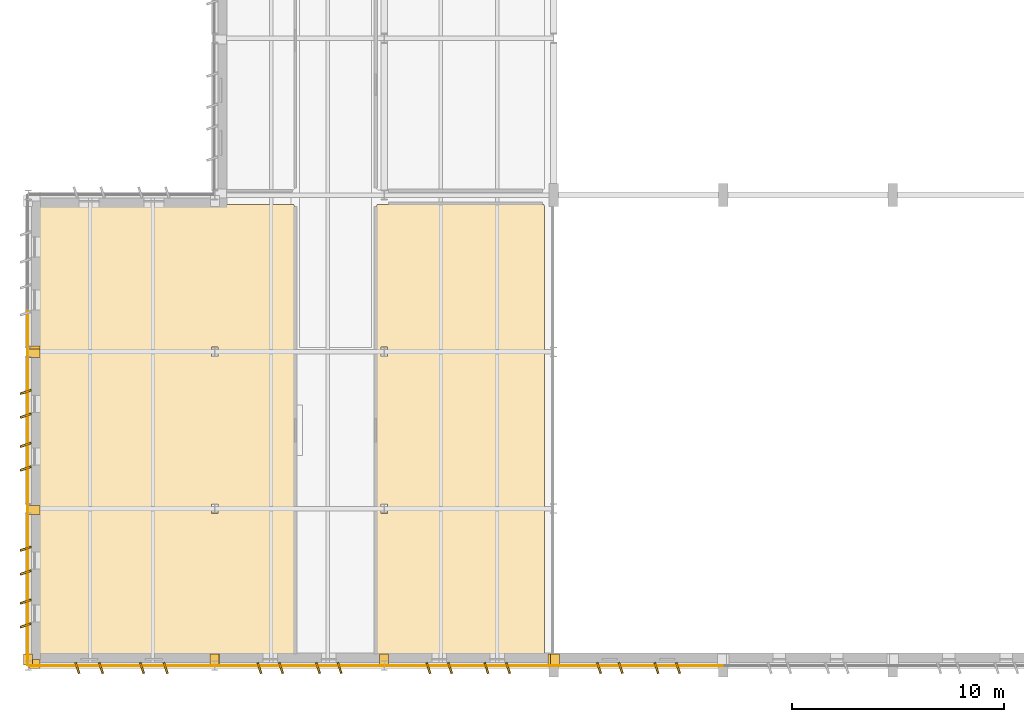
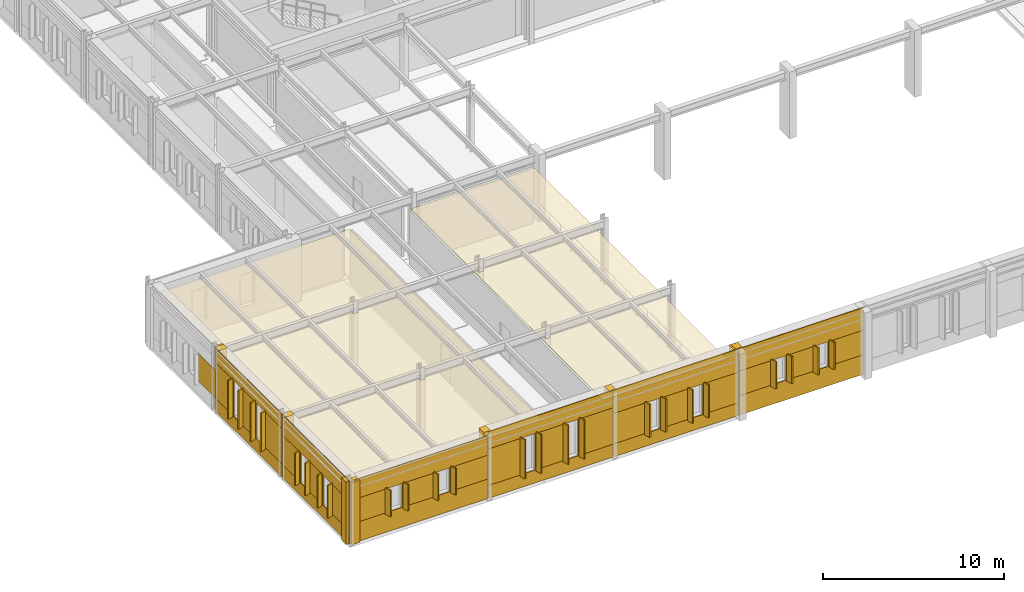
# One storey, part 54 of 75: 67 coverings.
"""IFC4 building model written with IfcOpenShell, lengths in metres."""

from ifc_helpers import new_model, si_unit, direction, frame, frame_2d, origin, origin_2d, place, context, subcontext, project, spatial, polyline, rectangle, outline, extrude, material, layer, layer_set, type_object, element, save


model = new_model("IFC4")

# Units and contexts
model_context = context("Model", 3, precision=1e-05, world=origin(), true_north=direction((0.0, 1.0)))
body_context = subcontext(model_context, "Body", "Model", "MODEL_VIEW")
ifc_project = project(units=[si_unit("LENGTHUNIT", "METRE"), si_unit("AREAUNIT", "SQUARE_METRE"), si_unit("VOLUMEUNIT", "CUBIC_METRE"), si_unit("PLANEANGLEUNIT", "RADIAN"), si_unit("MASSUNIT", "GRAM", prefix="KILO")], contexts=[model_context])

# Site, building, storey
site_placement = place(None, origin())
site = spatial("IfcSite", under=ifc_project, at=site_placement, CompositionType="ELEMENT")
building_placement = place(site_placement, origin())
building = spatial("IfcBuilding", under=site, at=building_placement, Name="Valkorina Park Police Headquarters", CompositionType="ELEMENT")
storey_placement = place(building_placement, frame((0.0, 0.0, 5.39990234375)))
storey = spatial("IfcBuildingStorey", under=building, at=storey_placement, Name="L02", CompositionType="ELEMENT", Elevation=5.39990234375)

# Coverings
ifc_material_1 = material(Name="Acoustic mineral board")
ifc_layer_1 = layer(ifc_material_1, 0.02490234375)
ifc_layer_set_1 = layer_set([ifc_layer_1], Name="Acoustic mineral board")
covering_type_1 = type_object("IfcCoveringType", Name="COV-CEILING-ACOUST", PredefinedType="CEILING", material=ifc_layer_set_1)
covering_1_placement = place(storey_placement, frame((0.0, 0.0, 3.64501953125)))
element("IfcCovering", 1, at=covering_1_placement, inside=storey, type_object=covering_type_1, Name="Suspect Acoustic Interview Suite Acoustic Suspended Ceiling", PredefinedType="CEILING", context=body_context, shape_type="SweptSolid", body=[
    extrude(outline(polyline([(12.55859375, 0.50439453125), (12.5595703125, 0.51220703125), (12.56005859375, 0.52001953125), (12.56005859375, 21.679931640625), (12.5595703125, 21.687744140625), (12.55859375, 21.695556640625), (12.556640625, 21.703125), (12.553955078125, 21.710693359375), (12.550537109375, 21.7177734375), (12.54638671875, 21.724365234375), (12.541748046875, 21.730712890625), (12.53662109375, 21.736572265625), (12.53076171875, 21.74169921875), (12.5244140625, 21.74658203125), (12.517578125, 21.75048828125), (12.510498046875, 21.75390625), (12.503173828125, 21.756591796875), (12.49560546875, 21.758544921875), (12.48779296875, 21.759521484375), (12.47998046875, 21.760009765625), (0.52001953125, 21.760009765625), (0.51220703125, 21.759521484375), (0.50439453125, 21.758544921875), (0.496826171875, 21.756591796875), (0.489501953125, 21.75390625), (0.482421875, 21.75048828125), (0.4755859375, 21.74658203125), (0.46923828125, 21.74169921875), (0.46337890625, 21.736572265625), (0.458251953125, 21.730712890625), (0.45361328125, 21.724365234375), (0.449462890625, 21.7177734375), (0.446044921875, 21.710693359375), (0.443359375, 21.703125), (0.44140625, 21.695556640625), (0.4404296875, 21.687744140625), (0.43994140625, 21.679931640625), (0.43994140625, 0.52001953125), (0.4404296875, 0.51220703125), (0.44140625, 0.50439453125), (0.443359375, 0.496826171875), (0.446044921875, 0.489501953125), (0.449462890625, 0.482421875), (0.45361328125, 0.4755859375), (0.458251953125, 0.46923828125), (0.46337890625, 0.46337890625), (0.46923828125, 0.458251953125), (0.4755859375, 0.45361328125), (0.482421875, 0.449462890625), (0.489501953125, 0.446044921875), (0.496826171875, 0.443359375), (0.50439453125, 0.44140625), (0.51220703125, 0.4404296875), (0.52001953125, 0.43994140625), (12.47998046875, 0.43994140625), (12.48779296875, 0.4404296875), (12.49560546875, 0.44140625), (12.503173828125, 0.443359375), (12.510498046875, 0.446044921875), (12.517578125, 0.449462890625), (12.5244140625, 0.45361328125), (12.53076171875, 0.458251953125), (12.53662109375, 0.46337890625), (12.541748046875, 0.46923828125), (12.54638671875, 0.4755859375), (12.550537109375, 0.482421875), (12.553955078125, 0.489501953125), (12.556640625, 0.496826171875), (12.55859375, 0.50439453125)]), holes=[polyline([(8.949951171875, 7.175048828125), (8.64990234375, 7.175048828125), (8.64990234375, 7.625), (8.949951171875, 7.625), (8.949951171875, 7.175048828125)]), polyline([(8.949951171875, 14.574951171875), (8.64990234375, 14.574951171875), (8.64990234375, 15.02490234375), (8.949951171875, 15.02490234375), (8.949951171875, 14.574951171875)])]), origin(), (0.0, 0.0, 1.0), 0.025146484375),
])
covering_2_placement = place(storey_placement, frame((0.0, 0.0, 3.64501953125)))
element("IfcCovering", 2, at=covering_2_placement, inside=storey, type_object=covering_type_1, Name="Video Identification Line-Up Room Acoustic Suspended Ceiling", PredefinedType="CEILING", context=body_context, shape_type="SweptSolid", body=[
    extrude(outline(polyline([(24.3583984375, 0.50439453125), (24.359619140625, 0.51220703125), (24.360107421875, 0.52001953125), (24.360107421875, 21.679931640625), (24.359619140625, 21.687744140625), (24.3583984375, 21.695556640625), (24.356689453125, 21.703125), (24.35400390625, 21.710693359375), (24.3505859375, 21.7177734375), (24.346435546875, 21.724365234375), (24.341796875, 21.730712890625), (24.336669921875, 21.736572265625), (24.330810546875, 21.74169921875), (24.324462890625, 21.74658203125), (24.317626953125, 21.75048828125), (24.310546875, 21.75390625), (24.30322265625, 21.756591796875), (24.295654296875, 21.758544921875), (24.287841796875, 21.759521484375), (24.280029296875, 21.760009765625), (16.52001953125, 21.760009765625), (16.51220703125, 21.759521484375), (16.50439453125, 21.758544921875), (16.496826171875, 21.756591796875), (16.489501953125, 21.75390625), (16.482421875, 21.75048828125), (16.4755859375, 21.74658203125), (16.46923828125, 21.74169921875), (16.46337890625, 21.736572265625), (16.458251953125, 21.730712890625), (16.45361328125, 21.724365234375), (16.449462890625, 21.7177734375), (16.446044921875, 21.710693359375), (16.443359375, 21.703125), (16.44140625, 21.695556640625), (16.4404296875, 21.687744140625), (16.43994140625, 21.679931640625), (16.43994140625, 0.52001953125), (16.4404296875, 0.51220703125), (16.44140625, 0.50439453125), (16.443359375, 0.496826171875), (16.446044921875, 0.489501953125), (16.449462890625, 0.482421875), (16.45361328125, 0.4755859375), (16.458251953125, 0.46923828125), (16.46337890625, 0.46337890625), (16.46923828125, 0.458251953125), (16.4755859375, 0.45361328125), (16.482421875, 0.449462890625), (16.489501953125, 0.446044921875), (16.496826171875, 0.443359375), (16.50439453125, 0.44140625), (16.51220703125, 0.4404296875), (16.52001953125, 0.43994140625), (24.280029296875, 0.43994140625), (24.287841796875, 0.4404296875), (24.295654296875, 0.44140625), (24.30322265625, 0.443359375), (24.310546875, 0.446044921875), (24.317626953125, 0.449462890625), (24.324462890625, 0.45361328125), (24.330810546875, 0.458251953125), (24.336669921875, 0.46337890625), (24.341796875, 0.46923828125), (24.346435546875, 0.4755859375), (24.3505859375, 0.482421875), (24.35400390625, 0.489501953125), (24.356689453125, 0.496826171875), (24.3583984375, 0.50439453125)]), holes=[polyline([(16.949951171875, 7.175048828125), (16.64990234375, 7.175048828125), (16.64990234375, 7.625), (16.949951171875, 7.625), (16.949951171875, 7.175048828125)]), polyline([(16.949951171875, 14.574951171875), (16.64990234375, 14.574951171875), (16.64990234375, 15.02490234375), (16.949951171875, 15.02490234375), (16.949951171875, 14.574951171875)])]), origin(), (0.0, 0.0, 1.0), 0.025146484375),
])
ifc_material_2 = material(Name="Precast concrete C40/50", Category="concrete")
ifc_layer_2 = layer(ifc_material_2, 0.044921875)
ifc_layer_set_2 = layer_set([ifc_layer_2], Name="Precast concrete C40/50")
covering_type_2 = type_object("IfcCoveringType", Name="COV-CLAD-DOLOMITE", PredefinedType="CLADDING", material=ifc_layer_set_2)
covering_3_placement = place(storey_placement, frame((24.864990234375, 0.2900390625, 0.0), z_axis=(0.0, 0.0, 1.0), x_axis=(1.0, 0.0, 0.0)))
element("IfcCovering", 3, at=covering_3_placement, inside=storey, type_object=covering_type_2, Name="L02 Exterior Joint Closure Pilaster B 0864", PredefinedType="CLADDING", context=body_context, shape_type="SweptSolid", body=[
    extrude(rectangle(XDim=0.419921875, YDim=0.52197265625, at=origin_2d()), origin(), (0.0, 0.0, 1.0), 4.5),
])
for number, where, z_axis, x_axis, name in (
    (4, (30.665283203125, -0.1201171875, 1.22998046875), (0.0, 0.0, 1.0), (0.317304656405, -0.948323655206, 0.0), "Slanted 18.5-deg Precast Window Slot Fin 0865"),
    (5, (29.6455078125, -0.1201171875, 1.22998046875), (0.0, 0.0, 1.0), (0.317304656405, -0.948323655206, 0.0), "Slanted 18.5-deg Precast Window Slot Fin 0866"),
    (6, (27.95458984375, -0.1201171875, 1.22998046875), (0.0, 0.0, 1.0), (0.317304656405, -0.948323655206, 0.0), "Slanted 18.5-deg Precast Window Slot Fin 0867"),
    (7, (26.9345703125, -0.1201171875, 1.22998046875), (0.0, 0.0, 1.0), (0.317304656405, -0.948323655206, 0.0), "Slanted 18.5-deg Precast Window Slot Fin 0868"),
):
    element("IfcCovering", number, at=place(storey_placement, frame(where, z_axis=z_axis, x_axis=x_axis)), inside=storey, type_object=covering_type_2, Name=name, PredefinedType="CLADDING", context=body_context, shape_type="SweptSolid", body=[
        extrude(rectangle(XDim=0.5400390625, YDim=0.090087890625, at=origin_2d()), origin(), (0.0, 0.0, 1.0), 1.840087890625),
    ])
covering_4_placement = place(storey_placement, frame((32.780029296875, -0.014892578125, 0.0), z_axis=(0.0, 0.0, 1.0), x_axis=(-1.0, 0.0, 0.0)))
element("IfcCovering", 8, at=covering_4_placement, inside=storey, type_object=covering_type_2, Name="L02 Calm Concrete Base Sill Spandrel 0869", PredefinedType="CLADDING", context=body_context, shape_type="SweptSolid", body=[
    extrude(rectangle(XDim=7.9599609375, YDim=0.044921875, at=frame_2d((3.97998046875, 0.0))), origin(), (0.0, 0.0, 1.0), 1.320068359375),
])
covering_5_placement = place(storey_placement, frame((32.780029296875, -0.014892578125, 2.97998046875), z_axis=(0.0, 0.0, 1.0), x_axis=(-1.0, 0.0, 0.0)))
element("IfcCovering", 9, at=covering_5_placement, inside=storey, type_object=covering_type_2, Name="L02 Calm Concrete Base Lintel Spandrel 0870", PredefinedType="CLADDING", context=body_context, shape_type="SweptSolid", body=[
    extrude(rectangle(XDim=7.9599609375, YDim=0.044921875, at=frame_2d((3.97998046875, 0.0))), origin(), (0.0, 0.0, 1.0), 1.52001953125),
])
covering_6_placement = place(storey_placement, frame((32.780029296875, -0.014892578125, 1.320068359375), z_axis=(0.0, 0.0, 1.0), x_axis=(-1.0, 0.0, 0.0)))
element("IfcCovering", 10, at=covering_6_placement, inside=storey, type_object=covering_type_2, Name="L02 Calm Concrete Base Slot Pier 0871", PredefinedType="CLADDING", context=body_context, shape_type="SweptSolid", body=[
    extrude(rectangle(XDim=2.224609375, YDim=0.044921875, at=frame_2d((1.1123046875, 0.0))), origin(), (0.0, 0.0, 1.0), 1.659912109375),
])
covering_7_placement = place(storey_placement, frame((29.75537109375, -0.014892578125, 1.320068359375), z_axis=(0.0, 0.0, 1.0), x_axis=(-1.0, 0.0, 0.0)))
element("IfcCovering", 11, at=covering_7_placement, inside=storey, type_object=covering_type_2, Name="L02 Calm Concrete Base Slot Pier 0872", PredefinedType="CLADDING", context=body_context, shape_type="SweptSolid", body=[
    extrude(rectangle(XDim=1.910888671875, YDim=0.044921875, at=frame_2d((0.95556640625, 0.0))), origin(), (0.0, 0.0, 1.0), 1.659912109375),
])
covering_8_placement = place(storey_placement, frame((27.044677734375, -0.014892578125, 1.320068359375), z_axis=(0.0, 0.0, 1.0), x_axis=(-1.0, 0.0, 0.0)))
element("IfcCovering", 12, at=covering_8_placement, inside=storey, type_object=covering_type_2, Name="L02 Calm Concrete Base Slot Pier 0873", PredefinedType="CLADDING", context=body_context, shape_type="SweptSolid", body=[
    extrude(rectangle(XDim=2.224609375, YDim=0.044921875, at=frame_2d((1.1123046875, 0.0))), origin(), (0.0, 0.0, 1.0), 1.659912109375),
])
for number, where, z_axis, x_axis, name in (
    (13, (24.735107421875, 0.2900390625, 0.0), (0.0, 0.0, 1.0), (1.0, 0.0, 0.0), "L02 Exterior Joint Closure Pilaster A 0874"),
    (14, (16.7900390625, 0.2900390625, 0.0), (0.0, 0.0, 1.0), (1.0, 0.0, 0.0), "L02 Exterior Joint Closure Pilaster B 0875"),
):
    element("IfcCovering", number, at=place(storey_placement, frame(where, z_axis=z_axis, x_axis=x_axis)), inside=storey, type_object=covering_type_2, Name=name, PredefinedType="CLADDING", context=body_context, shape_type="SweptSolid", body=[
        extrude(rectangle(XDim=0.419921875, YDim=0.52197265625, at=origin_2d()), origin(), (0.0, 0.0, 1.0), 4.5),
    ])
for number, where, z_axis, x_axis, name in (
    (15, (22.641357421875, -0.1201171875, 0.7802734375), (0.0, 0.0, 1.0), (0.317304656405, -0.948323655206, 0.0), "Slanted 18.5-deg Precast Window Slot Fin 0876"),
    (16, (21.621337890625, -0.1201171875, 0.7802734375), (0.0, 0.0, 1.0), (0.317304656405, -0.948323655206, 0.0), "Slanted 18.5-deg Precast Window Slot Fin 0877"),
    (17, (19.903564453125, -0.1201171875, 0.7802734375), (0.0, 0.0, 1.0), (0.317304656405, -0.948323655206, 0.0), "Slanted 18.5-deg Precast Window Slot Fin 0878"),
    (18, (18.883544921875, -0.1201171875, 0.7802734375), (0.0, 0.0, 1.0), (0.317304656405, -0.948323655206, 0.0), "Slanted 18.5-deg Precast Window Slot Fin 0879"),
):
    element("IfcCovering", number, at=place(storey_placement, frame(where, z_axis=z_axis, x_axis=x_axis)), inside=storey, type_object=covering_type_2, Name=name, PredefinedType="CLADDING", context=body_context, shape_type="SweptSolid", body=[
        extrude(rectangle(XDim=0.5400390625, YDim=0.090087890625, at=origin_2d()), origin(), (0.0, 0.0, 1.0), 2.239990234375),
    ])
covering_9_placement = place(storey_placement, frame((24.780029296875, -0.014892578125, 0.0), z_axis=(0.0, 0.0, 1.0), x_axis=(-1.0, 0.0, 0.0)))
element("IfcCovering", 19, at=covering_9_placement, inside=storey, type_object=covering_type_2, Name="L02 Calm Concrete Base Sill Spandrel 0880", PredefinedType="CLADDING", context=body_context, shape_type="SweptSolid", body=[
    extrude(rectangle(XDim=7.9599609375, YDim=0.044921875, at=frame_2d((3.97998046875, 0.0))), origin(), (0.0, 0.0, 1.0), 0.8701171875),
])
covering_10_placement = place(storey_placement, frame((24.780029296875, -0.014892578125, 2.93017578125), z_axis=(0.0, 0.0, 1.0), x_axis=(-1.0, 0.0, 0.0)))
element("IfcCovering", 20, at=covering_10_placement, inside=storey, type_object=covering_type_2, Name="L02 Calm Concrete Base Lintel Spandrel 0881", PredefinedType="CLADDING", context=body_context, shape_type="SweptSolid", body=[
    extrude(rectangle(XDim=7.9599609375, YDim=0.044921875, at=frame_2d((3.97998046875, 0.0))), origin(), (0.0, 0.0, 1.0), 1.56982421875),
])
covering_11_placement = place(storey_placement, frame((24.780029296875, -0.014892578125, 0.8701171875), z_axis=(0.0, 0.0, 1.0), x_axis=(-1.0, 0.0, 0.0)))
element("IfcCovering", 21, at=covering_11_placement, inside=storey, type_object=covering_type_2, Name="L02 Calm Concrete Base Slot Pier 0882", PredefinedType="CLADDING", context=body_context, shape_type="SweptSolid", body=[
    extrude(rectangle(XDim=2.24853515625, YDim=0.044921875, at=frame_2d((1.124267578125, 0.0))), origin(), (0.0, 0.0, 1.0), 2.06005859375),
])
covering_12_placement = place(storey_placement, frame((21.7314453125, -0.014892578125, 0.8701171875), z_axis=(0.0, 0.0, 1.0), x_axis=(-1.0, 0.0, 0.0)))
element("IfcCovering", 22, at=covering_12_placement, inside=storey, type_object=covering_type_2, Name="L02 Calm Concrete Base Slot Pier 0883", PredefinedType="CLADDING", context=body_context, shape_type="SweptSolid", body=[
    extrude(rectangle(XDim=1.937744140625, YDim=0.044921875, at=frame_2d((0.96875, 0.0))), origin(), (0.0, 0.0, 1.0), 2.06005859375),
])
covering_13_placement = place(storey_placement, frame((18.99365234375, -0.014892578125, 0.8701171875), z_axis=(0.0, 0.0, 1.0), x_axis=(-1.0, 0.0, 0.0)))
element("IfcCovering", 23, at=covering_13_placement, inside=storey, type_object=covering_type_2, Name="L02 Calm Concrete Base Slot Pier 0884", PredefinedType="CLADDING", context=body_context, shape_type="SweptSolid", body=[
    extrude(rectangle(XDim=2.173583984375, YDim=0.044921875, at=frame_2d((1.0869140625, 0.0))), origin(), (0.0, 0.0, 1.0), 2.06005859375),
])
covering_14_placement = place(storey_placement, frame((8.7900390625, 0.2900390625, 0.0), z_axis=(0.0, 0.0, 1.0), x_axis=(1.0, 0.0, 0.0)))
element("IfcCovering", 24, at=covering_14_placement, inside=storey, type_object=covering_type_2, Name="L02 Exterior Joint Closure Pilaster B 0885", PredefinedType="CLADDING", context=body_context, shape_type="SweptSolid", body=[
    extrude(rectangle(XDim=0.419921875, YDim=0.52197265625, at=origin_2d()), origin(), (0.0, 0.0, 1.0), 4.5),
])
for number, where, z_axis, x_axis, name in (
    (25, (14.6923828125, -0.1201171875, 0.7802734375), (0.0, 0.0, 1.0), (0.317304656405, -0.948323655206, 0.0), "Slanted 18.5-deg Precast Window Slot Fin 0886"),
    (26, (13.67236328125, -0.1201171875, 0.7802734375), (0.0, 0.0, 1.0), (0.317304656405, -0.948323655206, 0.0), "Slanted 18.5-deg Precast Window Slot Fin 0887"),
    (27, (11.927490234375, -0.1201171875, 0.7802734375), (0.0, 0.0, 1.0), (0.317304656405, -0.948323655206, 0.0), "Slanted 18.5-deg Precast Window Slot Fin 0888"),
    (28, (10.90771484375, -0.1201171875, 0.7802734375), (0.0, 0.0, 1.0), (0.317304656405, -0.948323655206, 0.0), "Slanted 18.5-deg Precast Window Slot Fin 0889"),
):
    element("IfcCovering", number, at=place(storey_placement, frame(where, z_axis=z_axis, x_axis=x_axis)), inside=storey, type_object=covering_type_2, Name=name, PredefinedType="CLADDING", context=body_context, shape_type="SweptSolid", body=[
        extrude(rectangle(XDim=0.5400390625, YDim=0.090087890625, at=origin_2d()), origin(), (0.0, 0.0, 1.0), 2.639892578125),
    ])
covering_15_placement = place(storey_placement, frame((16.780029296875, -0.014892578125, 0.0), z_axis=(0.0, 0.0, 1.0), x_axis=(-1.0, 0.0, 0.0)))
element("IfcCovering", 29, at=covering_15_placement, inside=storey, type_object=covering_type_2, Name="L02 Calm Concrete Base Sill Spandrel 0890", PredefinedType="CLADDING", context=body_context, shape_type="SweptSolid", body=[
    extrude(rectangle(XDim=7.9599609375, YDim=0.044921875, at=frame_2d((3.97998046875, 0.0))), origin(), (0.0, 0.0, 1.0), 0.8701171875),
])
covering_16_placement = place(storey_placement, frame((16.780029296875, -0.014892578125, 3.330078125), z_axis=(0.0, 0.0, 1.0), x_axis=(-1.0, 0.0, 0.0)))
element("IfcCovering", 30, at=covering_16_placement, inside=storey, type_object=covering_type_2, Name="L02 Calm Concrete Base Lintel Spandrel 0891", PredefinedType="CLADDING", context=body_context, shape_type="SweptSolid", body=[
    extrude(rectangle(XDim=7.9599609375, YDim=0.044921875, at=frame_2d((3.97998046875, 0.0))), origin(), (0.0, 0.0, 1.0), 1.169921875),
])
covering_17_placement = place(storey_placement, frame((16.780029296875, -0.014892578125, 0.8701171875), z_axis=(0.0, 0.0, 1.0), x_axis=(-1.0, 0.0, 0.0)))
element("IfcCovering", 31, at=covering_17_placement, inside=storey, type_object=covering_type_2, Name="L02 Calm Concrete Base Slot Pier 0892", PredefinedType="CLADDING", context=body_context, shape_type="SweptSolid", body=[
    extrude(rectangle(XDim=2.197509765625, YDim=0.044921875, at=frame_2d((1.0986328125, 0.0))), origin(), (0.0, 0.0, 1.0), 2.4599609375),
])
covering_18_placement = place(storey_placement, frame((13.782470703125, -0.014892578125, 0.8701171875), z_axis=(0.0, 0.0, 1.0), x_axis=(-1.0, 0.0, 0.0)))
element("IfcCovering", 32, at=covering_18_placement, inside=storey, type_object=covering_type_2, Name="L02 Calm Concrete Base Slot Pier 0893", PredefinedType="CLADDING", context=body_context, shape_type="SweptSolid", body=[
    extrude(rectangle(XDim=1.96484375, YDim=0.044921875, at=frame_2d((0.982421875, 0.0))), origin(), (0.0, 0.0, 1.0), 2.4599609375),
])
covering_19_placement = place(storey_placement, frame((11.017578125, -0.014892578125, 0.8701171875), z_axis=(0.0, 0.0, 1.0), x_axis=(-1.0, 0.0, 0.0)))
element("IfcCovering", 33, at=covering_19_placement, inside=storey, type_object=covering_type_2, Name="L02 Calm Concrete Base Slot Pier 0894", PredefinedType="CLADDING", context=body_context, shape_type="SweptSolid", body=[
    extrude(rectangle(XDim=2.197509765625, YDim=0.044921875, at=frame_2d((1.0986328125, 0.0))), origin(), (0.0, 0.0, 1.0), 2.4599609375),
])
for number, where, z_axis, x_axis, name in (
    (34, (8.81005859375, 0.2900390625, 0.0), (0.0, 0.0, 1.0), (1.0, 0.0, 0.0), "L02 Exterior Joint Closure Pilaster A 0895"),
    (35, (-0.010009765625, 0.2900390625, 0.0), (0.0, 0.0, 1.0), (1.0, 0.0, 0.0), "L02 Exterior Joint Closure Pilaster B 0896"),
):
    element("IfcCovering", number, at=place(storey_placement, frame(where, z_axis=z_axis, x_axis=x_axis)), inside=storey, type_object=covering_type_2, Name=name, PredefinedType="CLADDING", context=body_context, shape_type="SweptSolid", body=[
        extrude(rectangle(XDim=0.419921875, YDim=0.52197265625, at=origin_2d()), origin(), (0.0, 0.0, 1.0), 4.219970703125),
    ])
for number, where, z_axis, x_axis, name in (
    (36, (6.486328125, -0.1201171875, 1.22998046875), (0.0, 0.0, 1.0), (0.317304656405, -0.948323655206, 0.0), "Slanted 18.5-deg Precast Window Slot Fin 0897"),
    (37, (5.366455078125, -0.1201171875, 1.22998046875), (0.0, 0.0, 1.0), (0.317304656405, -0.948323655206, 0.0), "Slanted 18.5-deg Precast Window Slot Fin 0898"),
    (38, (3.43359375, -0.1201171875, 1.22998046875), (0.0, 0.0, 1.0), (0.317304656405, -0.948323655206, 0.0), "Slanted 18.5-deg Precast Window Slot Fin 0899"),
    (39, (2.313720703125, -0.1201171875, 1.22998046875), (0.0, 0.0, 1.0), (0.317304656405, -0.948323655206, 0.0), "Slanted 18.5-deg Precast Window Slot Fin 0900"),
):
    element("IfcCovering", number, at=place(storey_placement, frame(where, z_axis=z_axis, x_axis=x_axis)), inside=storey, type_object=covering_type_2, Name=name, PredefinedType="CLADDING", context=body_context, shape_type="SweptSolid", body=[
        extrude(rectangle(XDim=0.5400390625, YDim=0.090087890625, at=origin_2d()), origin(), (0.0, 0.0, 1.0), 1.7900390625),
    ])
covering_20_placement = place(storey_placement, frame((8.780029296875, -0.014892578125, 0.0), z_axis=(0.0, 0.0, 1.0), x_axis=(-1.0, 0.0, 0.0)))
element("IfcCovering", 40, at=covering_20_placement, inside=storey, type_object=covering_type_2, Name="L02 Calm Concrete Base Sill Spandrel 0901", PredefinedType="CLADDING", context=body_context, shape_type="SweptSolid", body=[
    extrude(rectangle(XDim=8.760009765625, YDim=0.044921875, at=frame_2d((4.3798828125, 0.0))), origin(), (0.0, 0.0, 1.0), 1.320068359375),
])
covering_21_placement = place(storey_placement, frame((8.780029296875, -0.014892578125, 2.93017578125), z_axis=(0.0, 0.0, 1.0), x_axis=(-1.0, 0.0, 0.0)))
element("IfcCovering", 41, at=covering_21_placement, inside=storey, type_object=covering_type_2, Name="L02 Calm Concrete Base Lintel Spandrel 0902", PredefinedType="CLADDING", context=body_context, shape_type="SweptSolid", body=[
    extrude(rectangle(XDim=8.760009765625, YDim=0.044921875, at=frame_2d((4.3798828125, 0.0))), origin(), (0.0, 0.0, 1.0), 1.2900390625),
])
covering_22_placement = place(storey_placement, frame((8.780029296875, -0.014892578125, 1.320068359375), z_axis=(0.0, 0.0, 1.0), x_axis=(-1.0, 0.0, 0.0)))
element("IfcCovering", 42, at=covering_22_placement, inside=storey, type_object=covering_type_2, Name="L02 Calm Concrete Base Slot Pier 0903", PredefinedType="CLADDING", context=body_context, shape_type="SweptSolid", body=[
    extrude(rectangle(XDim=2.403564453125, YDim=0.044921875, at=frame_2d((1.20166015625, 0.0))), origin(), (0.0, 0.0, 1.0), 1.610107421875),
])
covering_23_placement = place(storey_placement, frame((5.476318359375, -0.014892578125, 1.320068359375), z_axis=(0.0, 0.0, 1.0), x_axis=(-1.0, 0.0, 0.0)))
element("IfcCovering", 43, at=covering_23_placement, inside=storey, type_object=covering_type_2, Name="L02 Calm Concrete Base Slot Pier 0904", PredefinedType="CLADDING", context=body_context, shape_type="SweptSolid", body=[
    extrude(rectangle(XDim=2.15283203125, YDim=0.044921875, at=frame_2d((1.076416015625, 0.0))), origin(), (0.0, 0.0, 1.0), 1.610107421875),
])
covering_24_placement = place(storey_placement, frame((2.423583984375, -0.014892578125, 1.320068359375), z_axis=(0.0, 0.0, 1.0), x_axis=(-1.0, 0.0, 0.0)))
element("IfcCovering", 44, at=covering_24_placement, inside=storey, type_object=covering_type_2, Name="L02 Calm Concrete Base Slot Pier 0905", PredefinedType="CLADDING", context=body_context, shape_type="SweptSolid", body=[
    extrude(rectangle(XDim=2.403564453125, YDim=0.044921875, at=frame_2d((1.20166015625, 0.0))), origin(), (0.0, 0.0, 1.0), 1.610107421875),
])
for number, where, z_axis, x_axis, name in (
    (45, (0.2900390625, 0.06494140625, 0.0), (0.0, 0.0, 1.0), (0.0, 1.0, 0.0), "L02 Exterior Joint Closure Pilaster A 0906"),
    (46, (0.2900390625, 7.3349609375, 0.0), (0.0, 0.0, 1.0), (0.0, 1.0, 0.0), "L02 Exterior Joint Closure Pilaster B 0907"),
):
    element("IfcCovering", number, at=place(storey_placement, frame(where, z_axis=z_axis, x_axis=x_axis)), inside=storey, type_object=covering_type_2, Name=name, PredefinedType="CLADDING", context=body_context, shape_type="SweptSolid", body=[
        extrude(rectangle(XDim=0.419921875, YDim=0.52197265625, at=origin_2d()), origin(), (0.0, 0.0, 1.0), 4.219970703125),
    ])
for number, where, z_axis, x_axis, name in (
    (47, (-0.1201171875, 1.892578125, 0.780029296875), (0.0, 0.0, 1.0), (-0.948323655206, -0.317304656405, 0.0), "Slanted 18.5-deg Precast Window Slot Fin 0908"),
    (48, (-0.1201171875, 3.0126953125, 0.780029296875), (0.0, 0.0, 1.0), (-0.948323655206, -0.317304656405, 0.0), "Slanted 18.5-deg Precast Window Slot Fin 0909"),
    (49, (-0.1201171875, 4.387451171875, 0.780029296875), (0.0, 0.0, 1.0), (-0.948323655206, -0.317304656405, 0.0), "Slanted 18.5-deg Precast Window Slot Fin 0910"),
    (50, (-0.1201171875, 5.50732421875, 0.780029296875), (0.0, 0.0, 1.0), (-0.948323655206, -0.317304656405, 0.0), "Slanted 18.5-deg Precast Window Slot Fin 0911"),
):
    element("IfcCovering", number, at=place(storey_placement, frame(where, z_axis=z_axis, x_axis=x_axis)), inside=storey, type_object=covering_type_2, Name=name, PredefinedType="CLADDING", context=body_context, shape_type="SweptSolid", body=[
        extrude(rectangle(XDim=0.5400390625, YDim=0.090087890625, at=origin_2d()), origin(), (0.0, 0.0, 1.0), 2.18994140625),
    ])
covering_25_placement = place(storey_placement, frame((-0.014892578125, 0.02001953125, 0.0), z_axis=(0.0, 0.0, 1.0), x_axis=(0.0, 1.0, 0.0)))
element("IfcCovering", 51, at=covering_25_placement, inside=storey, type_object=covering_type_2, Name="L02 Calm Concrete Base Sill Spandrel 0912", PredefinedType="CLADDING", context=body_context, shape_type="SweptSolid", body=[
    extrude(rectangle(XDim=7.35986328125, YDim=0.044921875, at=frame_2d((3.679931640625, 0.0))), origin(), (0.0, 0.0, 1.0), 0.8701171875),
])
covering_26_placement = place(storey_placement, frame((-0.014892578125, 0.02001953125, 2.880126953125), z_axis=(0.0, 0.0, 1.0), x_axis=(0.0, 1.0, 0.0)))
element("IfcCovering", 52, at=covering_26_placement, inside=storey, type_object=covering_type_2, Name="L02 Calm Concrete Base Lintel Spandrel 0913", PredefinedType="CLADDING", context=body_context, shape_type="SweptSolid", body=[
    extrude(rectangle(XDim=7.35986328125, YDim=0.044921875, at=frame_2d((3.679931640625, 0.0))), origin(), (0.0, 0.0, 1.0), 1.340087890625),
])
covering_27_placement = place(storey_placement, frame((-0.014892578125, 0.02001953125, 0.8701171875), z_axis=(0.0, 0.0, 1.0), x_axis=(0.0, 1.0, 0.0)))
element("IfcCovering", 53, at=covering_27_placement, inside=storey, type_object=covering_type_2, Name="L02 Calm Concrete Base Slot Pier 0914", PredefinedType="CLADDING", context=body_context, shape_type="SweptSolid", body=[
    extrude(rectangle(XDim=1.982666015625, YDim=0.044921875, at=frame_2d((0.9912109375, 0.0))), origin(), (0.0, 0.0, 1.0), 2.010009765625),
])
covering_28_placement = place(storey_placement, frame((-0.014892578125, 2.902587890625, 0.8701171875), z_axis=(0.0, 0.0, 1.0), x_axis=(0.0, 1.0, 0.0)))
element("IfcCovering", 54, at=covering_28_placement, inside=storey, type_object=covering_type_2, Name="L02 Calm Concrete Base Slot Pier 0915", PredefinedType="CLADDING", context=body_context, shape_type="SweptSolid", body=[
    extrude(rectangle(XDim=1.5947265625, YDim=0.044921875, at=frame_2d((0.79736328125, 0.0))), origin(), (0.0, 0.0, 1.0), 2.010009765625),
])
covering_29_placement = place(storey_placement, frame((-0.014892578125, 5.3974609375, 0.8701171875), z_axis=(0.0, 0.0, 1.0), x_axis=(0.0, 1.0, 0.0)))
element("IfcCovering", 55, at=covering_29_placement, inside=storey, type_object=covering_type_2, Name="L02 Calm Concrete Base Slot Pier 0916", PredefinedType="CLADDING", context=body_context, shape_type="SweptSolid", body=[
    extrude(rectangle(XDim=1.982421875, YDim=0.044921875, at=frame_2d((0.9912109375, 0.0))), origin(), (0.0, 0.0, 1.0), 2.010009765625),
])
covering_30_placement = place(storey_placement, frame((0.2900390625, 14.735107421875, 0.0), z_axis=(0.0, 0.0, 1.0), x_axis=(0.0, 1.0, 0.0)))
element("IfcCovering", 56, at=covering_30_placement, inside=storey, type_object=covering_type_2, Name="L02 Exterior Joint Closure Pilaster B 0917", PredefinedType="CLADDING", context=body_context, shape_type="SweptSolid", body=[
    extrude(rectangle(XDim=0.419921875, YDim=0.52197265625, at=origin_2d()), origin(), (0.0, 0.0, 1.0), 4.219970703125),
])
for number, where, z_axis, x_axis, name in (
    (57, (-0.1201171875, 9.29248046875, 0.7802734375), (0.0, 0.0, 1.0), (-0.948323655206, -0.317304656405, 0.0), "Slanted 18.5-deg Precast Window Slot Fin 0918"),
    (58, (-0.1201171875, 10.41259765625, 0.7802734375), (0.0, 0.0, 1.0), (-0.948323655206, -0.317304656405, 0.0), "Slanted 18.5-deg Precast Window Slot Fin 0919"),
    (59, (-0.1201171875, 11.787353515625, 0.7802734375), (0.0, 0.0, 1.0), (-0.948323655206, -0.317304656405, 0.0), "Slanted 18.5-deg Precast Window Slot Fin 0920"),
    (60, (-0.1201171875, 12.907470703125, 0.7802734375), (0.0, 0.0, 1.0), (-0.948323655206, -0.317304656405, 0.0), "Slanted 18.5-deg Precast Window Slot Fin 0921"),
):
    element("IfcCovering", number, at=place(storey_placement, frame(where, z_axis=z_axis, x_axis=x_axis)), inside=storey, type_object=covering_type_2, Name=name, PredefinedType="CLADDING", context=body_context, shape_type="SweptSolid", body=[
        extrude(rectangle(XDim=0.5400390625, YDim=0.090087890625, at=origin_2d()), origin(), (0.0, 0.0, 1.0), 2.590087890625),
    ])
covering_31_placement = place(storey_placement, frame((-0.014892578125, 7.419921875, 0.0), z_axis=(0.0, 0.0, 1.0), x_axis=(0.0, 1.0, 0.0)))
element("IfcCovering", 61, at=covering_31_placement, inside=storey, type_object=covering_type_2, Name="L02 Calm Concrete Base Sill Spandrel 0922", PredefinedType="CLADDING", context=body_context, shape_type="SweptSolid", body=[
    extrude(rectangle(XDim=7.360107421875, YDim=0.044921875, at=frame_2d((3.68017578125, 0.0))), origin(), (0.0, 0.0, 1.0), 0.8701171875),
])
covering_32_placement = place(storey_placement, frame((-0.014892578125, 7.419921875, 3.280029296875), z_axis=(0.0, 0.0, 1.0), x_axis=(0.0, 1.0, 0.0)))
element("IfcCovering", 62, at=covering_32_placement, inside=storey, type_object=covering_type_2, Name="L02 Calm Concrete Base Lintel Spandrel 0923", PredefinedType="CLADDING", context=body_context, shape_type="SweptSolid", body=[
    extrude(rectangle(XDim=7.360107421875, YDim=0.044921875, at=frame_2d((3.68017578125, 0.0))), origin(), (0.0, 0.0, 1.0), 0.940185546875),
])
covering_33_placement = place(storey_placement, frame((-0.014892578125, 7.419921875, 0.8701171875), z_axis=(0.0, 0.0, 1.0), x_axis=(0.0, 1.0, 0.0)))
element("IfcCovering", 63, at=covering_33_placement, inside=storey, type_object=covering_type_2, Name="L02 Calm Concrete Base Slot Pier 0924", PredefinedType="CLADDING", context=body_context, shape_type="SweptSolid", body=[
    extrude(rectangle(XDim=1.982666015625, YDim=0.044921875, at=frame_2d((0.9912109375, 0.0))), origin(), (0.0, 0.0, 1.0), 2.409912109375),
])
covering_34_placement = place(storey_placement, frame((-0.014892578125, 10.302490234375, 0.8701171875), z_axis=(0.0, 0.0, 1.0), x_axis=(0.0, 1.0, 0.0)))
element("IfcCovering", 64, at=covering_34_placement, inside=storey, type_object=covering_type_2, Name="L02 Calm Concrete Base Slot Pier 0925", PredefinedType="CLADDING", context=body_context, shape_type="SweptSolid", body=[
    extrude(rectangle(XDim=1.594970703125, YDim=0.044921875, at=frame_2d((0.79736328125, 0.0))), origin(), (0.0, 0.0, 1.0), 2.409912109375),
])
covering_35_placement = place(storey_placement, frame((-0.014892578125, 12.79736328125, 0.8701171875), z_axis=(0.0, 0.0, 1.0), x_axis=(0.0, 1.0, 0.0)))
element("IfcCovering", 65, at=covering_35_placement, inside=storey, type_object=covering_type_2, Name="L02 Calm Concrete Base Slot Pier 0926", PredefinedType="CLADDING", context=body_context, shape_type="SweptSolid", body=[
    extrude(rectangle(XDim=1.982666015625, YDim=0.044921875, at=frame_2d((0.9912109375, 0.0))), origin(), (0.0, 0.0, 1.0), 2.409912109375),
])
covering_36_placement = place(storey_placement, frame((0.2900390625, 14.864990234375, 0.0), z_axis=(0.0, 0.0, 1.0), x_axis=(0.0, 1.0, 0.0)))
element("IfcCovering", 66, at=covering_36_placement, inside=storey, type_object=covering_type_2, Name="L02 Exterior Joint Closure Pilaster A 0927", PredefinedType="CLADDING", context=body_context, shape_type="SweptSolid", body=[
    extrude(rectangle(XDim=0.419921875, YDim=0.52197265625, at=origin_2d()), origin(), (0.0, 0.0, 1.0), 4.219970703125),
])
covering_37_placement = place(storey_placement, frame((-0.014892578125, 14.820068359375, 0.8701171875), z_axis=(0.0, 0.0, 1.0), x_axis=(0.0, 1.0, 0.0)))
element("IfcCovering", 67, at=covering_37_placement, inside=storey, type_object=covering_type_2, Name="L02 Calm Concrete Base Slot Pier 0935", PredefinedType="CLADDING", context=body_context, shape_type="SweptSolid", body=[
    extrude(rectangle(XDim=1.907470703125, YDim=0.044921875, at=frame_2d((0.95361328125, 0.0))), origin(), (0.0, 0.0, 1.0), 1.85986328125),
])

save(model, "model.ifc")
